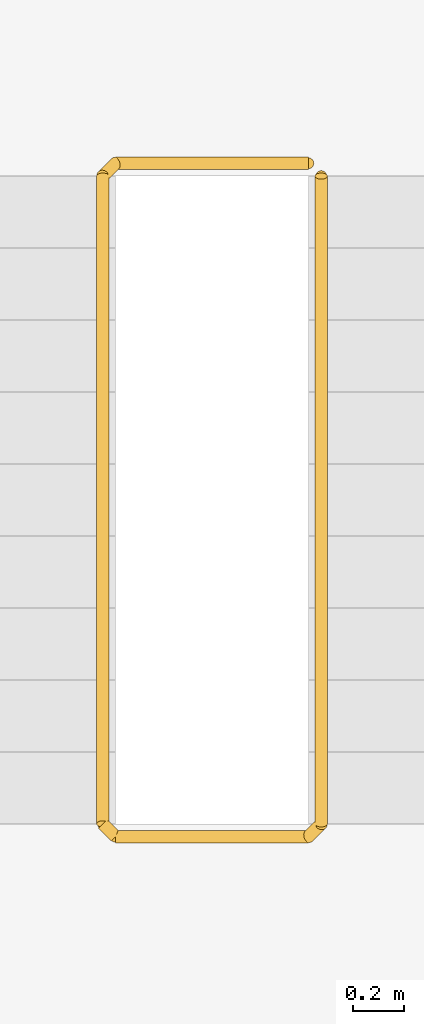
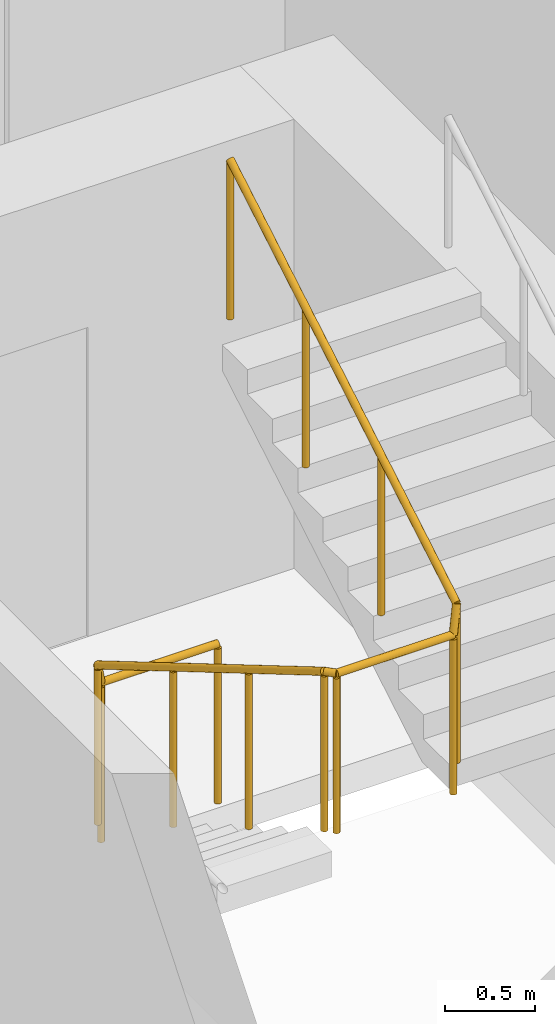
# One storey, part 10 of 11: 1 railing.
"""IFC4 building model written with IfcOpenShell, lengths in metres."""

from ifc_helpers import new_model, si_unit, direction, frame, origin, origin_2d, place, context, subcontext, project, spatial, circle, extrude, material, type_object, element, save


model = new_model("IFC4")

# Units and contexts
model_context = context("Model", 3, precision=1e-05, world=origin(), true_north=direction((0.0, 1.0)))
body_context = subcontext(model_context, "Body", "Model", "MODEL_VIEW")
ifc_project = project(units=[si_unit("LENGTHUNIT", "METRE"), si_unit("AREAUNIT", "SQUARE_METRE"), si_unit("VOLUMEUNIT", "CUBIC_METRE"), si_unit("PLANEANGLEUNIT", "RADIAN"), si_unit("MASSUNIT", "GRAM", prefix="KILO")], contexts=[model_context])

# Site, building, storey
site_placement = place(None, origin())
site = spatial("IfcSite", under=ifc_project, at=site_placement, CompositionType="ELEMENT")
building_placement = place(site_placement, origin())
building = spatial("IfcBuilding", under=site, at=building_placement, Name="Amberfall Residences", CompositionType="ELEMENT")
storey_placement = place(building_placement, frame((0.0, 0.0, 223.300048828125)))
storey = spatial("IfcBuildingStorey", under=building, at=storey_placement, Name="L60", CompositionType="ELEMENT", Elevation=223.300048828125)

# Railing
ifc_material = material(Name="Stainless steel 316", Category="steel")
railing_type = type_object("IfcRailingType", Name="Stair guard 1100", PredefinedType="GUARDRAIL", material=ifc_material)
railing_placement = place(storey_placement, frame((84.39990234375, 55.14990234375, 0.0)))
element("IfcRailing", 1, at=railing_placement, inside=storey, type_object=railing_type, Name="L60 stair 3 guard", PredefinedType="GUARDRAIL", context=body_context, shape_type="SweptSolid", body=[
    extrude(circle(Radius=0.02392578125, at=origin_2d()), frame((0.0, 0.0, 1.076171875), z_axis=(-1.0, 0.0, 0.0), x_axis=(0.0, -1.0, 0.0)), (0.0, 0.0, 1.0), 0.75),
    extrude(circle(Radius=0.02392578125, at=origin_2d()), frame((-0.75, 0.0, 1.076171875), z_axis=(-0.27755538755, -0.27755538755, 0.919742362667), x_axis=(0.707106781187, -0.707106781187, 0.0)), (0.0, 0.0, 1.0), 0.179443359375),
    extrude(circle(Radius=0.02392578125, at=origin_2d()), frame((-0.7998046875, -0.0498046875, 1.2412109375), z_axis=(0.0, -0.861560626758, 0.507654692109), x_axis=(1.0, 0.0, 0.0)), (0.0, 0.0, 1.0), 2.925048828125),
    extrude(circle(Radius=0.02392578125, at=origin_2d()), frame((-0.7998046875, -2.56982421875, 2.72607421875), z_axis=(0.705375805398, -0.708833529934, 0.0), x_axis=(0.708833529934, 0.705375805398, 0.0)), (0.0, 0.0, 1.0), 0.070556640625),
    extrude(circle(Radius=0.02392578125, at=origin_2d()), frame((-0.75, -2.619873046875, 2.72607421875), z_axis=(1.0, 0.0, 0.0), x_axis=(0.0, 1.0, 0.0)), (0.0, 0.0, 1.0), 0.75),
    extrude(circle(Radius=0.02392578125, at=origin_2d()), frame((0.0, -2.619873046875, 2.72607421875), z_axis=(0.278705021027, 0.278705021027, 0.919046801044), x_axis=(-0.707106781187, 0.707106781187, 0.0)), (0.0, 0.0, 1.0), 0.1796875),
    extrude(circle(Radius=0.02392578125, at=origin_2d()), frame((0.050048828125, -2.56982421875, 2.89111328125), z_axis=(0.0, 0.86152411907, 0.507716645641), x_axis=(-1.0, 0.0, 0.0)), (0.0, 0.0, 1.0), 2.925048828125),
    extrude(circle(Radius=0.02099609375, at=origin_2d()), origin(), (0.0, 0.0, 1.0), 1.052001953125),
    extrude(circle(Radius=0.02099609375, at=origin_2d()), frame((-0.75, 0.0, 0.0)), (0.0, 0.0, 1.0), 1.052001953125),
    extrude(circle(Radius=0.02099609375, at=origin_2d()), frame((-0.7998046875, -0.0498046875, 0.1650390625)), (0.0, 0.0, 1.0), 1.052001953125),
    extrude(circle(Radius=0.02099609375, at=origin_2d()), frame((-0.7998046875, -0.889892578125, 0.659912109375)), (0.0, 0.0, 1.0), 1.052001953125),
    extrude(circle(Radius=0.02099609375, at=origin_2d()), frame((-0.7998046875, -1.729736328125, 1.155029296875)), (0.0, 0.0, 1.0), 1.052001953125),
    extrude(circle(Radius=0.02099609375, at=origin_2d()), frame((-0.7998046875, -2.56982421875, 1.64990234375)), (0.0, 0.0, 1.0), 1.052001953125),
    extrude(circle(Radius=0.02099609375, at=origin_2d()), frame((-0.75, -2.619873046875, 1.64990234375)), (0.0, 0.0, 1.0), 1.052001953125),
    extrude(circle(Radius=0.02099609375, at=origin_2d()), frame((0.0, -2.619873046875, 1.64990234375)), (0.0, 0.0, 1.0), 1.052001953125),
    extrude(circle(Radius=0.02099609375, at=origin_2d()), frame((0.050048828125, -2.56982421875, 1.81494140625)), (0.0, 0.0, 1.0), 1.052001953125),
    extrude(circle(Radius=0.02099609375, at=origin_2d()), frame((0.050048828125, -1.729736328125, 2.31005859375)), (0.0, 0.0, 1.0), 1.052001953125),
    extrude(circle(Radius=0.02099609375, at=origin_2d()), frame((0.050048828125, -0.889892578125, 2.804931640625)), (0.0, 0.0, 1.0), 1.052001953125),
    extrude(circle(Radius=0.02099609375, at=origin_2d()), frame((0.050048828125, -0.0498046875, 3.300048828125)), (0.0, 0.0, 1.0), 1.052001953125),
])

save(model, "model.ifc")
